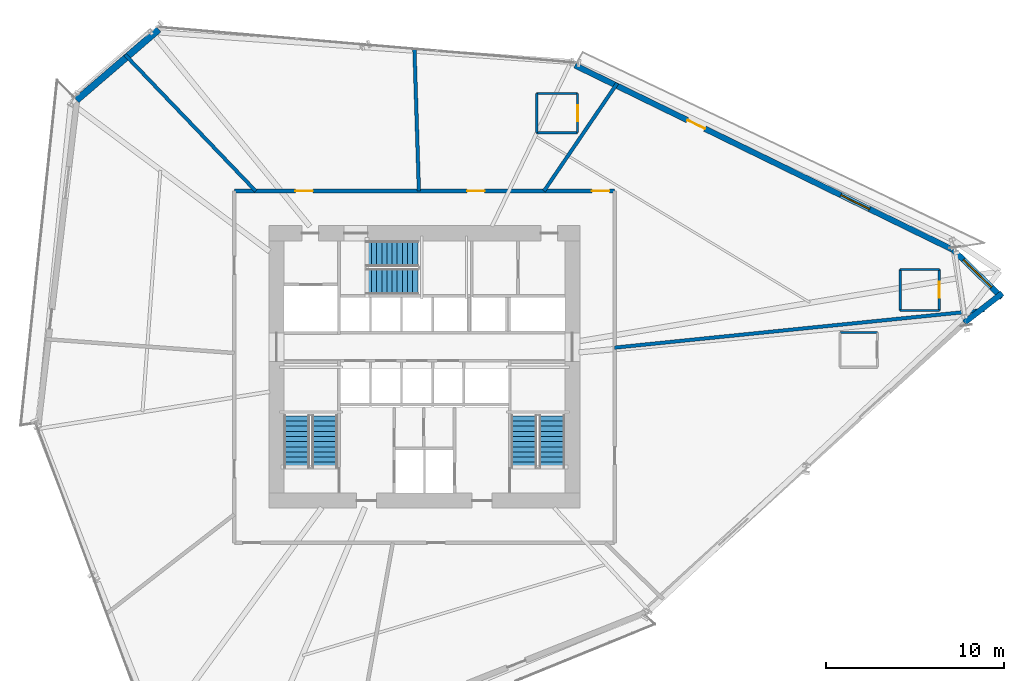
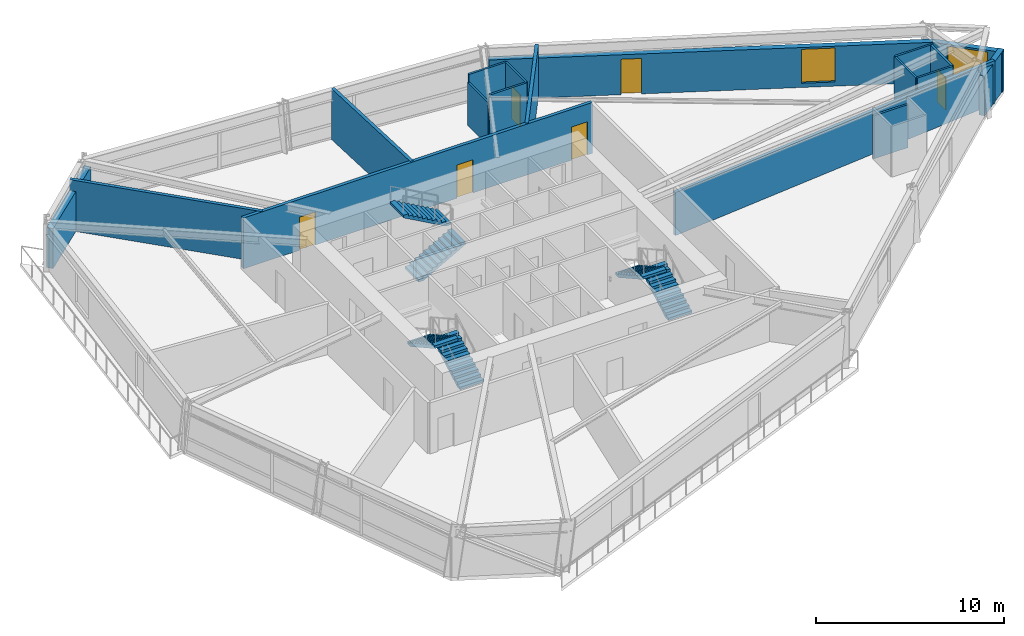
# One storey, part 17 of 21: 18 walls, 6 doors, 6 stair flights, 2 windows, 8 openings, 3 elements without a shape of their own.
"""IFC4 building model written with IfcOpenShell, lengths in metres."""

from ifc_helpers import new_model, si_unit, direction, frame, frame_2d, origin, place, context, subcontext, project, spatial, polyline, rectangle, outline, extrude, source, transform, mapped, material, layer, layer_set, type_object, type_shapes, element, fill, aggregate, save


model = new_model("IFC4")

# Units and contexts
model_context = context("Model", 3, precision=1e-05, world=origin(), true_north=direction((0.0, 1.0)))
body_context = subcontext(model_context, "Body", "Model", "MODEL_VIEW")
ifc_project = project(units=[si_unit("LENGTHUNIT", "METRE"), si_unit("AREAUNIT", "SQUARE_METRE"), si_unit("VOLUMEUNIT", "CUBIC_METRE"), si_unit("PLANEANGLEUNIT", "RADIAN"), si_unit("MASSUNIT", "GRAM", prefix="KILO")], contexts=[model_context])

# Site, building, storey
site_placement = place(None, origin())
site = spatial("IfcSite", under=ifc_project, at=site_placement, CompositionType="ELEMENT")
building_placement = place(site_placement, origin())
building = spatial("IfcBuilding", under=site, at=building_placement, Name="Olszyna Solenne Hotel", CompositionType="ELEMENT")
storey_placement = place(building_placement, frame((0.0, 0.0, 68.35009765625)))
storey = spatial("IfcBuildingStorey", under=building, at=storey_placement, Name="L17", CompositionType="ELEMENT", Elevation=68.35009765625)

# Wall, openings, door, window
ifc_material_1 = material(Name="Precast concrete C45/55", Category="concrete")
ifc_layer_1 = layer(ifc_material_1, 0.320068359375, Name="Precast concrete C45/55")
ifc_layer_set_1 = layer_set([ifc_layer_1], Name="Precast concrete C45/55")
wall_type_1 = type_object("IfcWallType", Name="WL-EX320", PredefinedType="SOLIDWALL", material=ifc_layer_set_1)
wall_1_placement = place(storey_placement, frame((46.47314453125, 43.572265625, 0.0), z_axis=(0.0, 0.0, 1.0), x_axis=(0.898719243612, -0.438524481827, 0.0)))
wall_1 = element("IfcWall", 1, at=wall_1_placement, inside=storey, type_object=wall_type_1, Name="Exterior terracotta-precast frame wall WL-EX320 EW-L17-07", PredefinedType="SOLIDWALL", context=body_context, shape_type="SweptSolid", body=[
    extrude(rectangle(XDim=23.7041015625, YDim=0.320068359375, at=frame_2d((11.85205078125, 0.0))), origin(), (0.0, 0.0, 1.0), 2.591796875),
])
opening_1_placement = place(wall_1_placement, frame((7.034912109375, 0.0, 0.0)))
opening_1 = element("IfcOpeningElement", 2, at=opening_1_placement, cuts=wall_1, Name="Opening LDG-L17-1", PredefinedType="OPENING", context=body_context, shape_type="SweptSolid", body=[
    extrude(rectangle(XDim=1.10009765625, YDim=2.300048828125, at=frame_2d((0.550048828125, 1.14990234375))), frame((0.0, 0.169921875, 0.0), z_axis=(0.0, -1.0, 0.0), x_axis=(1.0, 0.0, 0.0)), (0.0, 0.0, 1.0), 0.340087890625),
])
opening_2_placement = place(wall_1_placement, frame((16.64111328125, 0.0, 0.27197265625)))
opening_2 = element("IfcOpeningElement", 3, at=opening_2_placement, cuts=wall_1, Name="Opening WN-L17-081", PredefinedType="OPENING", context=body_context, shape_type="SweptSolid", body=[
    extrude(rectangle(XDim=1.800048828125, YDim=2.199951171875, at=frame_2d((0.89990234375, 1.10009765625))), frame((0.0, 0.169921875, 0.0), z_axis=(0.0, -1.0, 0.0), x_axis=(1.0, 0.0, 0.0)), (0.0, 0.0, 1.0), 0.340087890625),
])
ifc_material_2 = material(Name="Anodised bronze aluminium", Category="aluminium")
door_type_1 = type_object("IfcDoorType", Name="DR-LG1", OperationType="NOTDEFINED", PredefinedType="DOOR", material=ifc_material_2)
shared_shape_1 = source(origin(), body_context, "Body", "SweptSolid", [
    extrude(rectangle(XDim=1.10009765625, YDim=2.300048828125, at=frame_2d((0.550048828125, 1.14990234375))), frame((0.0, 0.02490234375, 0.0), z_axis=(0.0, -1.0, 0.0), x_axis=(1.0, 0.0, 0.0)), (0.0, 0.0, 1.0), 0.050048828125),
])
type_shapes(door_type_1, [shared_shape_1])
door_1_placement = place(opening_1_placement, origin())
door_1 = element("IfcDoor", 4, at=door_1_placement, inside=storey, type_object=door_type_1, Name="Exterior loggia balcony door DR-LG1 LDG-L17-1", OperationType="SINGLE_SWING_LEFT", OverallHeight=2.300048828125, OverallWidth=1.10009765625, PredefinedType="DOOR", context=body_context, shape_type="MappedRepresentation", body=[
    mapped(shared_shape_1, transform((0.0, 0.0, 0.0), x_axis=(1.0, 0.0, 0.0), y_axis=(0.0, 1.0, 0.0), z_axis=(0.0, 0.0, 1.0), scale=1.0)),
])
fill(opening_1, door_1)
ifc_material_3 = material(Name="Low-E triple glazing", Category="glass")
window_type_1 = type_object("IfcWindowType", Name="WN-HT1", PartitioningType="SINGLE_PANEL", PredefinedType="WINDOW", material=ifc_material_3)
shared_shape_2 = source(origin(), body_context, "Body", "SweptSolid", [
    extrude(rectangle(XDim=1.800048828125, YDim=2.199951171875, at=frame_2d((0.89990234375, 1.10009765625))), frame((0.0, 0.030029296875, 0.0), z_axis=(0.0, -1.0, 0.0), x_axis=(1.0, 0.0, 0.0)), (0.0, 0.0, 1.0), 0.06005859375),
])
type_shapes(window_type_1, [shared_shape_2])
window_1_placement = place(opening_2_placement, origin())
window_1 = element("IfcWindow", 5, at=window_1_placement, inside=storey, type_object=window_type_1, Name="Loggia room window WN-HT1 WN-L17-081", OverallHeight=2.199951171875, OverallWidth=1.800048828125, PartitioningType="SINGLE_PANEL", PredefinedType="WINDOW", context=body_context, shape_type="MappedRepresentation", body=[
    mapped(shared_shape_2, transform((0.0, 0.0, 0.0), x_axis=(1.0, 0.0, 0.0), y_axis=(0.0, 1.0, 0.0), z_axis=(0.0, 0.0, 1.0), scale=1.0)),
])
fill(opening_2, window_1)

# Wall, opening, window
wall_2_placement = place(storey_placement, frame((67.73486328125, 33.206787109375, 0.0), z_axis=(0.0, 0.0, 1.0), x_axis=(0.715835098873, -0.698269368669, 0.0)))
wall_2 = element("IfcWall", 6, at=wall_2_placement, inside=storey, type_object=wall_type_1, Name="Exterior terracotta-precast frame wall WL-EX320 EW-L17-08", PredefinedType="SOLIDWALL", context=body_context, shape_type="SweptSolid", body=[
    extrude(rectangle(XDim=3.86376953125, YDim=0.320068359375, at=frame_2d((1.931884765625, 0.0))), origin(), (0.0, 0.0, 1.0), 2.591796875),
])
opening_3_placement = place(wall_2_placement, frame((0.83203125, 0.0, 0.221923828125)))
opening_3 = element("IfcOpeningElement", 7, at=opening_3_placement, cuts=wall_2, Name="Opening WN-L17-082", PredefinedType="OPENING", context=body_context, shape_type="SweptSolid", body=[
    extrude(rectangle(XDim=2.199951171875, YDim=2.25, at=frame_2d((1.10009765625, 1.125))), frame((0.0, 0.169921875, 0.0), z_axis=(0.0, -1.0, 0.0), x_axis=(1.0, 0.0, 0.0)), (0.0, 0.0, 1.0), 0.340087890625),
])
window_type_2 = type_object("IfcWindowType", Name="WN-HT2", PartitioningType="SINGLE_PANEL", PredefinedType="WINDOW", material=ifc_material_3)
shared_shape_3 = source(origin(), body_context, "Body", "SweptSolid", [
    extrude(rectangle(XDim=2.199951171875, YDim=2.25, at=frame_2d((1.10009765625, 1.125))), frame((0.0, 0.030029296875, 0.0), z_axis=(0.0, -1.0, 0.0), x_axis=(1.0, 0.0, 0.0)), (0.0, 0.0, 1.0), 0.06005859375),
])
type_shapes(window_type_2, [shared_shape_3])
window_2_placement = place(opening_3_placement, origin())
window_2 = element("IfcWindow", 8, at=window_2_placement, inside=storey, type_object=window_type_2, Name="Exterior facade window WN-HT2 WN-L17-082", OverallHeight=2.25, OverallWidth=2.199951171875, PartitioningType="SINGLE_PANEL", PredefinedType="WINDOW", context=body_context, shape_type="MappedRepresentation", body=[
    mapped(shared_shape_3, transform((0.0, 0.0, 0.0), x_axis=(1.0, 0.0, 0.0), y_axis=(0.0, 1.0, 0.0), z_axis=(0.0, 0.0, 1.0), scale=1.0)),
])
fill(opening_3, window_2)

# Walls
wall_3_placement = place(storey_placement, frame((70.51416015625, 30.749755859375, 0.0), z_axis=(0.0, 0.0, 1.0), x_axis=(-0.789595358012, -0.613627876327, 0.0)))
element("IfcWall", 9, at=wall_3_placement, inside=storey, type_object=wall_type_1, Name="Exterior terracotta-precast frame wall WL-EX320 EW-L17-09", PredefinedType="SOLIDWALL", context=body_context, shape_type="SweptSolid", body=[
    extrude(rectangle(XDim=2.70263671875, YDim=0.320068359375, at=frame_2d((1.351318359375, 0.0))), origin(), (0.0, 0.0, 1.0), 2.591796875),
])
ifc_material_4 = material(Name="Terracotta cladding on precast concrete C45/55", Category="masonry")
ifc_layer_2 = layer(ifc_material_4, 0.3798828125, Name="Terracotta cladding on precast concrete C45/55")
ifc_layer_set_2 = layer_set([ifc_layer_2], Name="Terracotta cladding on precast concrete C45/55")
wall_type_2 = type_object("IfcWallType", Name="WL-EX380", PredefinedType="SOLIDWALL", material=ifc_layer_set_2)
wall_4_placement = place(storey_placement, frame((18.424560546875, 41.611572265625, 0.0), z_axis=(0.0, 0.0, 1.0), x_axis=(0.758105656075, 0.652131746066, 0.0)))
element("IfcWall", 10, at=wall_4_placement, inside=storey, type_object=wall_type_2, Name="Exterior terracotta-precast frame wall WL-EX380 EW-L17-05", PredefinedType="SOLIDWALL", context=body_context, shape_type="SweptSolid", body=[
    extrude(rectangle(XDim=6.100341796875, YDim=0.3798828125, at=frame_2d((3.05029296875, 0.0))), origin(), (0.0, 0.0, 1.0), 2.591796875),
])
ifc_material_5 = material(Name="Acoustic gypsum partition", Category="gypsum")
ifc_layer_3 = layer(ifc_material_5, 0.125, Name="Acoustic gypsum partition")
ifc_layer_set_3 = layer_set([ifc_layer_3], Name="Acoustic gypsum partition")
wall_type_3 = type_object("IfcWallType", Name="WL-PT125", PredefinedType="PARTITIONING", material=ifc_layer_set_3)
wall_5_placement = place(storey_placement, frame((63.489990234375, 28.535888671875, 0.0), z_axis=(0.0, 0.0, 1.0), x_axis=(-1.0, 0.0, 0.0)))
element("IfcWall", 11, at=wall_5_placement, inside=storey, type_object=wall_type_3, Name="Interior acoustic partition WL-PT125 PW-L17-0981", PredefinedType="PARTITIONING", context=body_context, shape_type="SweptSolid", body=[
    extrude(rectangle(XDim=2.10009765625, YDim=0.125, at=frame_2d((1.050048828125, 0.0))), origin(), (0.0, 0.0, 1.0), 2.794921875),
])

# Wall, opening, door
wall_6_placement = place(storey_placement, frame((66.971923828125, 29.782958984375, 0.0), z_axis=(0.0, 0.0, 1.0), x_axis=(0.0, 1.0, 0.0)))
wall_6 = element("IfcWall", 12, at=wall_6_placement, inside=storey, type_object=wall_type_3, Name="Interior acoustic partition WL-PT125 PW-L17-0984", PredefinedType="PARTITIONING", context=body_context, shape_type="SweptSolid", body=[
    extrude(rectangle(XDim=2.300048828125, YDim=0.125, at=frame_2d((1.14990234375, 0.0))), origin(), (0.0, 0.0, 1.0), 3.2998046875),
])
opening_4_placement = place(wall_6_placement, frame((0.699951171875, 0.0, 0.0)))
opening_4 = element("IfcOpeningElement", 13, at=opening_4_placement, cuts=wall_6, Name="Opening DR-L17-0223", PredefinedType="OPENING", context=body_context, shape_type="SweptSolid", body=[
    extrude(rectangle(XDim=0.89990234375, YDim=2.10009765625, at=frame_2d((0.449951171875, 1.050048828125))), frame((0.0, 0.072509765625, 0.0), z_axis=(0.0, -1.0, 0.0), x_axis=(1.0, 0.0, 0.0)), (0.0, 0.0, 1.0), 0.14501953125),
])
ifc_material_6 = material(Name="Timber hardwood", Category="wood")
door_type_2 = type_object("IfcDoorType", Name="DR-WC1", OperationType="NOTDEFINED", PredefinedType="DOOR", material=ifc_material_6)
shared_shape_4 = source(origin(), body_context, "Body", "SweptSolid", [
    extrude(rectangle(XDim=0.89990234375, YDim=2.10009765625, at=frame_2d((0.449951171875, 1.050048828125))), frame((0.0, 0.02490234375, 0.0), z_axis=(0.0, -1.0, 0.0), x_axis=(1.0, 0.0, 0.0)), (0.0, 0.0, 1.0), 0.050048828125),
])
type_shapes(door_type_2, [shared_shape_4])
door_2_placement = place(opening_4_placement, origin())
door_2 = element("IfcDoor", 14, at=door_2_placement, inside=storey, type_object=door_type_2, Name="En-Suite Bathroom Door DR-L17-0223", OperationType="SINGLE_SWING_RIGHT", OverallHeight=2.10009765625, OverallWidth=0.89990234375, PredefinedType="DOOR", context=body_context, shape_type="MappedRepresentation", body=[
    mapped(shared_shape_4, transform((0.0, 0.0, 0.0), x_axis=(1.0, 0.0, 0.0), y_axis=(0.0, 1.0, 0.0), z_axis=(0.0, 0.0, 1.0), scale=1.0)),
])
fill(opening_4, door_2)

# Walls
wall_7_placement = place(storey_placement, frame((66.971923828125, 32.0830078125, 0.0), z_axis=(0.0, 0.0, 1.0), x_axis=(-1.0, 0.0, 0.0)))
element("IfcWall", 15, at=wall_7_placement, inside=storey, type_object=wall_type_3, Name="Interior acoustic partition WL-PT125 PW-L17-0985", PredefinedType="PARTITIONING", context=body_context, shape_type="SweptSolid", body=[
    extrude(rectangle(XDim=2.199951171875, YDim=0.125, at=frame_2d((1.10009765625, 0.0))), origin(), (0.0, 0.0, 1.0), 3.2998046875),
])
wall_8_placement = place(storey_placement, frame((64.77197265625, 32.0830078125, 0.0), z_axis=(0.0, 0.0, 1.0), x_axis=(0.0, -1.0, 0.0)))
element("IfcWall", 16, at=wall_8_placement, inside=storey, type_object=wall_type_3, Name="Interior acoustic partition WL-PT125 PW-L17-0986", PredefinedType="PARTITIONING", context=body_context, shape_type="SweptSolid", body=[
    extrude(rectangle(XDim=2.300048828125, YDim=0.125, at=frame_2d((1.14990234375, 0.0))), origin(), (0.0, 0.0, 1.0), 3.2998046875),
])
wall_9_placement = place(storey_placement, frame((64.77197265625, 29.782958984375, 0.0), z_axis=(0.0, 0.0, 1.0), x_axis=(1.0, 0.0, 0.0)))
element("IfcWall", 17, at=wall_9_placement, inside=storey, type_object=wall_type_3, Name="Interior acoustic partition WL-PT125 PW-L17-0987", PredefinedType="PARTITIONING", context=body_context, shape_type="SweptSolid", body=[
    extrude(rectangle(XDim=2.199951171875, YDim=0.125, at=frame_2d((1.10009765625, 0.0))), origin(), (0.0, 0.0, 1.0), 3.2998046875),
])

# Wall, opening, door
wall_10_placement = place(storey_placement, frame((46.616943359375, 39.780029296875, 0.0), z_axis=(0.0, 0.0, 1.0), x_axis=(0.0, 1.0, 0.0)))
wall_10 = element("IfcWall", 18, at=wall_10_placement, inside=storey, type_object=wall_type_3, Name="Interior acoustic partition WL-PT125 PW-L17-0988", PredefinedType="PARTITIONING", context=body_context, shape_type="SweptSolid", body=[
    extrude(rectangle(XDim=2.199951171875, YDim=0.125, at=frame_2d((1.10009765625, 0.0))), origin(), (0.0, 0.0, 1.0), 3.2998046875),
])
opening_5_placement = place(wall_10_placement, frame((0.64990234375, 0.0, 0.0)))
opening_5 = element("IfcOpeningElement", 19, at=opening_5_placement, cuts=wall_10, Name="Opening DR-L17-0224", PredefinedType="OPENING", context=body_context, shape_type="SweptSolid", body=[
    extrude(rectangle(XDim=0.89990234375, YDim=2.10009765625, at=frame_2d((0.449951171875, 1.050048828125))), frame((0.0, 0.072509765625, 0.0), z_axis=(0.0, -1.0, 0.0), x_axis=(1.0, 0.0, 0.0)), (0.0, 0.0, 1.0), 0.14501953125),
])
door_3_placement = place(opening_5_placement, origin())
door_3 = element("IfcDoor", 20, at=door_3_placement, inside=storey, type_object=door_type_2, Name="En-Suite Bathroom Door DR-L17-0224", OperationType="SINGLE_SWING_RIGHT", OverallHeight=2.10009765625, OverallWidth=0.89990234375, PredefinedType="DOOR", context=body_context, shape_type="MappedRepresentation", body=[
    mapped(shared_shape_4, transform((0.0, 0.0, 0.0), x_axis=(1.0, 0.0, 0.0), y_axis=(0.0, 1.0, 0.0), z_axis=(0.0, 0.0, 1.0), scale=1.0)),
])
fill(opening_5, door_3)

# Walls
wall_11_placement = place(storey_placement, frame((46.616943359375, 41.97998046875, 0.0), z_axis=(0.0, 0.0, 1.0), x_axis=(-1.0, 0.0, 0.0)))
element("IfcWall", 21, at=wall_11_placement, inside=storey, type_object=wall_type_3, Name="Interior acoustic partition WL-PT125 PW-L17-0989", PredefinedType="PARTITIONING", context=body_context, shape_type="SweptSolid", body=[
    extrude(rectangle(XDim=2.300048828125, YDim=0.125, at=frame_2d((1.14990234375, 0.0))), origin(), (0.0, 0.0, 1.0), 3.2998046875),
])
wall_12_placement = place(storey_placement, frame((44.31689453125, 41.97998046875, 0.0), z_axis=(0.0, 0.0, 1.0), x_axis=(0.0, -1.0, 0.0)))
element("IfcWall", 22, at=wall_12_placement, inside=storey, type_object=wall_type_3, Name="Interior acoustic partition WL-PT125 PW-L17-0990", PredefinedType="PARTITIONING", context=body_context, shape_type="SweptSolid", body=[
    extrude(rectangle(XDim=2.199951171875, YDim=0.125, at=frame_2d((1.10009765625, 0.0))), origin(), (0.0, 0.0, 1.0), 2.784912109375),
])
wall_13_placement = place(storey_placement, frame((44.31689453125, 39.780029296875, 0.0), z_axis=(0.0, 0.0, 1.0), x_axis=(1.0, 0.0, 0.0)))
element("IfcWall", 23, at=wall_13_placement, inside=storey, type_object=wall_type_3, Name="Interior acoustic partition WL-PT125 PW-L17-0991", PredefinedType="PARTITIONING", context=body_context, shape_type="SweptSolid", body=[
    extrude(rectangle(XDim=2.300048828125, YDim=0.125, at=frame_2d((1.14990234375, 0.0))), origin(), (0.0, 0.0, 1.0), 3.2998046875),
])
ifc_layer_4 = layer(ifc_material_5, 0.199951171875, Name="Acoustic gypsum partition")
ifc_layer_set_4 = layer_set([ifc_layer_4], Name="Acoustic gypsum partition")
wall_type_4 = type_object("IfcWallType", Name="WL-PT200", PredefinedType="PARTITIONING", material=ifc_layer_set_4)
wall_14_placement = place(storey_placement, frame((37.68896484375, 36.5, 0.0), z_axis=(0.0, 0.0, 1.0), x_axis=(-0.031407900808, 0.999506650186, 0.0)))
element("IfcWall", 24, at=wall_14_placement, inside=storey, type_object=wall_type_4, Name="Interior acoustic partition WL-PT200 PW-L17-0972", PredefinedType="PARTITIONING", context=body_context, shape_type="SweptSolid", body=[
    extrude(rectangle(XDim=7.967529296875, YDim=0.199951171875, at=frame_2d((3.98388671875, 0.0))), origin(), (0.0, 0.0, 1.0), 3.2998046875),
])
wall_15_placement = place(storey_placement, frame((28.506103515625, 36.5, 0.0), z_axis=(0.0, 0.0, 1.0), x_axis=(-0.692130904917, 0.721771993402, 0.0)))
element("IfcWall", 25, at=wall_15_placement, inside=storey, type_object=wall_type_4, Name="Interior acoustic partition WL-PT200 PW-L17-0973", PredefinedType="PARTITIONING", context=body_context, shape_type="SweptSolid", body=[
    extrude(rectangle(XDim=10.625244140625, YDim=0.199951171875, at=frame_2d((5.3125, 0.0))), origin(), (0.0, 0.0, 1.0), 3.2998046875),
])
wall_16_placement = place(storey_placement, frame((48.699951171875, 27.68701171875, 0.0), z_axis=(0.0, 0.0, 1.0), x_axis=(0.99488143762, 0.101049122113, 0.0)))
element("IfcWall", 26, at=wall_16_placement, inside=storey, type_object=wall_type_4, Name="Interior acoustic partition WL-PT200 PW-L17-0978", PredefinedType="PARTITIONING", context=body_context, shape_type="SweptSolid", body=[
    extrude(rectangle(XDim=20.910888671875, YDim=0.199951171875, at=frame_2d((10.45556640625, 0.0))), origin(), (0.0, 0.0, 1.0), 2.794921875),
])
wall_17_placement = place(storey_placement, frame((44.72802734375, 36.5, 0.0), z_axis=(0.0, 0.0, 1.0), x_axis=(0.562076643958, 0.827085150584, 0.0)))
element("IfcWall", 27, at=wall_17_placement, inside=storey, type_object=wall_type_4, Name="Interior acoustic partition WL-PT200 PW-L17-0979", PredefinedType="PARTITIONING", context=body_context, shape_type="SweptSolid", body=[
    extrude(rectangle(XDim=7.325927734375, YDim=0.199951171875, at=frame_2d((3.6630859375, 0.0))), origin(), (0.0, 0.0, 1.0), 3.2998046875),
])

# Wall, openings, doors
wall_18_placement = place(storey_placement, frame((27.300048828125, 36.5, 0.0), z_axis=(0.0, 0.0, 1.0), x_axis=(1.0, 0.0, 0.0)))
wall_18 = element("IfcWall", 28, at=wall_18_placement, inside=storey, type_object=wall_type_4, Name="Interior acoustic partition WL-PT200 PW-L17-0994", PredefinedType="PARTITIONING", context=body_context, shape_type="SweptSolid", body=[
    extrude(rectangle(XDim=21.39990234375, YDim=0.199951171875, at=frame_2d((10.699951171875, 0.0))), origin(), (0.0, 0.0, 1.0), 3.2998046875),
])
opening_6_placement = place(wall_18_placement, frame((3.43896484375, 0.0, 0.0)))
opening_6 = element("IfcOpeningElement", 29, at=opening_6_placement, cuts=wall_18, Name="Opening DR-L17-0229", PredefinedType="OPENING", context=body_context, shape_type="SweptSolid", body=[
    extrude(rectangle(XDim=0.97998046875, YDim=2.14990234375, at=frame_2d((0.489990234375, 1.074951171875))), frame((0.0, 0.10986328125, 0.0), z_axis=(0.0, -1.0, 0.0), x_axis=(1.0, 0.0, 0.0)), (0.0, 0.0, 1.0), 0.219970703125),
])
opening_7_placement = place(wall_18_placement, frame((20.1201171875, 0.0, 0.0)))
opening_7 = element("IfcOpeningElement", 30, at=opening_7_placement, cuts=wall_18, Name="Opening DR-L17-0230", PredefinedType="OPENING", context=body_context, shape_type="SweptSolid", body=[
    extrude(rectangle(XDim=0.97998046875, YDim=2.14990234375, at=frame_2d((0.489990234375, 1.074951171875))), frame((0.0, 0.10986328125, 0.0), z_axis=(0.0, -1.0, 0.0), x_axis=(1.0, 0.0, 0.0)), (0.0, 0.0, 1.0), 0.219970703125),
])
opening_8_placement = place(wall_18_placement, frame((13.10400390625, 0.0, 0.0)))
opening_8 = element("IfcOpeningElement", 31, at=opening_8_placement, cuts=wall_18, Name="Opening DR-L17-0231", PredefinedType="OPENING", context=body_context, shape_type="SweptSolid", body=[
    extrude(rectangle(XDim=0.97998046875, YDim=2.14990234375, at=frame_2d((0.489990234375, 1.074951171875))), frame((0.0, 0.10986328125, 0.0), z_axis=(0.0, -1.0, 0.0), x_axis=(1.0, 0.0, 0.0)), (0.0, 0.0, 1.0), 0.219970703125),
])
door_type_3 = type_object("IfcDoorType", Name="DR-RM1", OperationType="NOTDEFINED", PredefinedType="DOOR", material=ifc_material_6)
shared_shape_5 = source(origin(), body_context, "Body", "SweptSolid", [
    extrude(rectangle(XDim=0.97998046875, YDim=2.14990234375, at=frame_2d((0.489990234375, 1.074951171875))), frame((0.0, 0.02490234375, 0.0), z_axis=(0.0, -1.0, 0.0), x_axis=(1.0, 0.0, 0.0)), (0.0, 0.0, 1.0), 0.050048828125),
])
type_shapes(door_type_3, [shared_shape_5])
door_4_placement = place(opening_6_placement, origin())
door_4 = element("IfcDoor", 32, at=door_4_placement, inside=storey, type_object=door_type_3, Name="Private Business Office Entrance Door DR-L17-0229", OperationType="SINGLE_SWING_RIGHT", OverallHeight=2.14990234375, OverallWidth=0.97998046875, PredefinedType="DOOR", context=body_context, shape_type="MappedRepresentation", body=[
    mapped(shared_shape_5, transform((0.0, 0.0, 0.0), x_axis=(1.0, 0.0, 0.0), y_axis=(0.0, 1.0, 0.0), z_axis=(0.0, 0.0, 1.0), scale=1.0)),
])
fill(opening_6, door_4)
door_5_placement = place(opening_7_placement, origin())
door_5 = element("IfcDoor", 33, at=door_5_placement, inside=storey, type_object=door_type_3, Name="Deluxe Hotel Guestroom Entrance Door DR-L17-0230", OperationType="SINGLE_SWING_RIGHT", OverallHeight=2.14990234375, OverallWidth=0.97998046875, PredefinedType="DOOR", context=body_context, shape_type="MappedRepresentation", body=[
    mapped(shared_shape_5, transform((0.0, 0.0, 0.0), x_axis=(1.0, 0.0, 0.0), y_axis=(0.0, 1.0, 0.0), z_axis=(0.0, 0.0, 1.0), scale=1.0)),
])
fill(opening_7, door_5)
door_6_placement = place(opening_8_placement, origin())
door_6 = element("IfcDoor", 34, at=door_6_placement, inside=storey, type_object=door_type_3, Name="Executive Reading Salon Entrance Door DR-L17-0231", OperationType="SINGLE_SWING_LEFT", OverallHeight=2.14990234375, OverallWidth=0.97998046875, PredefinedType="DOOR", context=body_context, shape_type="MappedRepresentation", body=[
    mapped(shared_shape_5, transform((0.0, 0.0, 0.0), x_axis=(1.0, 0.0, 0.0), y_axis=(0.0, 1.0, 0.0), z_axis=(0.0, 0.0, 1.0), scale=1.0)),
])
fill(opening_8, door_6)

# Stair, stair flights
ifc_material_7 = material(Name="Concrete C40/50", Category="concrete")
stair_type = type_object("IfcStairType", Name="STR-C1", PredefinedType="TWO_QUARTER_WINDING_STAIR", material=ifc_material_7)
stair_1_placement = place(storey_placement, origin())
stair_1 = element("IfcStair", 35, at=stair_1_placement, inside=storey, type_object=stair_type, Name="L17 ST1", PredefinedType="TWO_QUARTER_WINDING_STAIR")
stair_flight_type = type_object("IfcStairFlightType", Name="FLT-C1", PredefinedType="STRAIGHT", material=ifc_material_7)
stair_flight_1_placement = place(storey_placement, frame((32.39501953125, 20.949951171875, 0.0), z_axis=(0.0, 0.0, 1.0), x_axis=(0.0, 1.0, 0.0)))
stair_flight_1 = element("IfcStairFlight", 36, at=stair_flight_1_placement, type_object=stair_flight_type, Name="ST1 flight 1", NumberOfRisers=11, NumberOfTreads=10, PredefinedType="STRAIGHT", RiserHeight=0.161363636, TreadLength=0.29, context=body_context, shape_type="SweptSolid", body=[
    extrude(outline(polyline([(0.0, 0.0), (0.0, 0.161376953125), (0.2900390625, 0.161376953125), (0.2900390625, 0.32275390625), (0.580078125, 0.32275390625), (0.580078125, 0.484130859375), (0.8701171875, 0.484130859375), (0.8701171875, 0.6455078125), (1.159912109375, 0.6455078125), (1.159912109375, 0.806884765625), (1.449951171875, 0.806884765625), (1.449951171875, 0.96826171875), (1.739990234375, 0.96826171875), (1.739990234375, 1.129638671875), (2.030029296875, 1.129638671875), (2.030029296875, 1.291015625), (2.320068359375, 1.291015625), (2.320068359375, 1.452392578125), (2.610107421875, 1.452392578125), (2.610107421875, 1.613525390625), (2.89990234375, 1.613525390625), (2.89990234375, 1.77490234375), (2.89990234375, 1.442138671875), (0.308349609375, 0.0), (0.0, 0.0)])), frame((0.0, 0.72509765625, 0.0), z_axis=(0.0, -1.0, 0.0), x_axis=(1.0, 0.0, 0.0)), (0.0, 0.0, 1.0), 1.449951171875),
])
stair_flight_2_placement = place(storey_placement, frame((30.824951171875, 23.85009765625, 1.77490234375), z_axis=(0.0, 0.0, 1.0), x_axis=(0.0, -1.0, 0.0)))
stair_flight_2 = element("IfcStairFlight", 37, at=stair_flight_2_placement, type_object=stair_flight_type, Name="ST1 flight 2", NumberOfRisers=11, NumberOfTreads=10, PredefinedType="STRAIGHT", RiserHeight=0.161363636, TreadLength=0.29, context=body_context, shape_type="SweptSolid", body=[
    extrude(outline(polyline([(0.0, 0.0), (0.0, 0.161376953125), (0.2900390625, 0.161376953125), (0.2900390625, 0.32275390625), (0.580078125, 0.32275390625), (0.580078125, 0.484130859375), (0.8701171875, 0.484130859375), (0.8701171875, 0.6455078125), (1.159912109375, 0.6455078125), (1.159912109375, 0.806884765625), (1.449951171875, 0.806884765625), (1.449951171875, 0.96826171875), (1.739990234375, 0.96826171875), (1.739990234375, 1.129638671875), (2.030029296875, 1.129638671875), (2.030029296875, 1.291015625), (2.320068359375, 1.291015625), (2.320068359375, 1.452392578125), (2.610107421875, 1.452392578125), (2.610107421875, 1.613525390625), (2.89990234375, 1.613525390625), (2.89990234375, 1.77490234375), (2.89990234375, 1.442138671875), (0.308349609375, 0.0), (0.0, 0.0)])), frame((0.0, 0.72509765625, 0.0), z_axis=(0.0, -1.0, 0.0), x_axis=(1.0, 0.0, 0.0)), (0.0, 0.0, 1.0), 1.449951171875),
])
aggregate(stair_1, [stair_flight_1, stair_flight_2])

stair_2_placement = place(storey_placement, origin())
stair_2 = element("IfcStair", 38, at=stair_2_placement, inside=storey, type_object=stair_type, Name="L17 ST2", PredefinedType="TWO_QUARTER_WINDING_STAIR")
stair_flight_3_placement = place(storey_placement, frame((45.175048828125, 20.949951171875, 0.0), z_axis=(0.0, 0.0, 1.0), x_axis=(0.0, 1.0, 0.0)))
stair_flight_3 = element("IfcStairFlight", 39, at=stair_flight_3_placement, type_object=stair_flight_type, Name="ST2 flight 1", NumberOfRisers=11, NumberOfTreads=10, PredefinedType="STRAIGHT", RiserHeight=0.161363636, TreadLength=0.29, context=body_context, shape_type="SweptSolid", body=[
    extrude(outline(polyline([(0.0, 0.0), (0.0, 0.161376953125), (0.2900390625, 0.161376953125), (0.2900390625, 0.32275390625), (0.580078125, 0.32275390625), (0.580078125, 0.484130859375), (0.8701171875, 0.484130859375), (0.8701171875, 0.6455078125), (1.159912109375, 0.6455078125), (1.159912109375, 0.806884765625), (1.449951171875, 0.806884765625), (1.449951171875, 0.96826171875), (1.739990234375, 0.96826171875), (1.739990234375, 1.129638671875), (2.030029296875, 1.129638671875), (2.030029296875, 1.291015625), (2.320068359375, 1.291015625), (2.320068359375, 1.452392578125), (2.610107421875, 1.452392578125), (2.610107421875, 1.613525390625), (2.89990234375, 1.613525390625), (2.89990234375, 1.77490234375), (2.89990234375, 1.442138671875), (0.308349609375, 0.0), (0.0, 0.0)])), frame((0.0, 0.72509765625, 0.0), z_axis=(0.0, -1.0, 0.0), x_axis=(1.0, 0.0, 0.0)), (0.0, 0.0, 1.0), 1.449951171875),
])
stair_flight_4_placement = place(storey_placement, frame((43.60498046875, 23.85009765625, 1.77490234375), z_axis=(0.0, 0.0, 1.0), x_axis=(0.0, -1.0, 0.0)))
stair_flight_4 = element("IfcStairFlight", 40, at=stair_flight_4_placement, type_object=stair_flight_type, Name="ST2 flight 2", NumberOfRisers=11, NumberOfTreads=10, PredefinedType="STRAIGHT", RiserHeight=0.161363636, TreadLength=0.29, context=body_context, shape_type="SweptSolid", body=[
    extrude(outline(polyline([(0.0, 0.0), (0.0, 0.161376953125), (0.2900390625, 0.161376953125), (0.2900390625, 0.32275390625), (0.580078125, 0.32275390625), (0.580078125, 0.484130859375), (0.8701171875, 0.484130859375), (0.8701171875, 0.6455078125), (1.159912109375, 0.6455078125), (1.159912109375, 0.806884765625), (1.449951171875, 0.806884765625), (1.449951171875, 0.96826171875), (1.739990234375, 0.96826171875), (1.739990234375, 1.129638671875), (2.030029296875, 1.129638671875), (2.030029296875, 1.291015625), (2.320068359375, 1.291015625), (2.320068359375, 1.452392578125), (2.610107421875, 1.452392578125), (2.610107421875, 1.613525390625), (2.89990234375, 1.613525390625), (2.89990234375, 1.77490234375), (2.89990234375, 1.442138671875), (0.308349609375, 0.0), (0.0, 0.0)])), frame((0.0, 0.72509765625, 0.0), z_axis=(0.0, -1.0, 0.0), x_axis=(1.0, 0.0, 0.0)), (0.0, 0.0, 1.0), 1.449951171875),
])
aggregate(stair_2, [stair_flight_3, stair_flight_4])

stair_3_placement = place(storey_placement, origin())
stair_3 = element("IfcStair", 41, at=stair_3_placement, inside=storey, type_object=stair_type, Name="L17 ST3", PredefinedType="TWO_QUARTER_WINDING_STAIR")
stair_flight_5_placement = place(storey_placement, frame((34.72998046875, 31.405029296875, 0.0), z_axis=(0.0, 0.0, 1.0), x_axis=(1.0, 0.0, 0.0)))
stair_flight_5 = element("IfcStairFlight", 42, at=stair_flight_5_placement, type_object=stair_flight_type, Name="ST3 flight 1", NumberOfRisers=11, NumberOfTreads=10, PredefinedType="STRAIGHT", RiserHeight=0.161363636, TreadLength=0.29, context=body_context, shape_type="SweptSolid", body=[
    extrude(outline(polyline([(0.0, 0.0), (0.0, 0.161376953125), (0.2900390625, 0.161376953125), (0.2900390625, 0.32275390625), (0.580078125, 0.32275390625), (0.580078125, 0.484130859375), (0.8701171875, 0.484130859375), (0.8701171875, 0.6455078125), (1.159912109375, 0.6455078125), (1.159912109375, 0.806884765625), (1.449951171875, 0.806884765625), (1.449951171875, 0.96826171875), (1.739990234375, 0.96826171875), (1.739990234375, 1.129638671875), (2.030029296875, 1.129638671875), (2.030029296875, 1.291015625), (2.320068359375, 1.291015625), (2.320068359375, 1.452392578125), (2.610107421875, 1.452392578125), (2.610107421875, 1.613525390625), (2.89990234375, 1.613525390625), (2.89990234375, 1.77490234375), (2.89990234375, 1.442138671875), (0.308349609375, 0.0), (0.0, 0.0)])), frame((0.0, 0.72509765625, 0.0), z_axis=(0.0, -1.0, 0.0), x_axis=(1.0, 0.0, 0.0)), (0.0, 0.0, 1.0), 1.449951171875),
])
stair_flight_6_placement = place(storey_placement, frame((37.6298828125, 32.97509765625, 1.77490234375), z_axis=(0.0, 0.0, 1.0), x_axis=(-1.0, 0.0, 0.0)))
stair_flight_6 = element("IfcStairFlight", 43, at=stair_flight_6_placement, type_object=stair_flight_type, Name="ST3 flight 2", NumberOfRisers=11, NumberOfTreads=10, PredefinedType="STRAIGHT", RiserHeight=0.161363636, TreadLength=0.29, context=body_context, shape_type="SweptSolid", body=[
    extrude(outline(polyline([(0.0, 0.0), (0.0, 0.161376953125), (0.2900390625, 0.161376953125), (0.2900390625, 0.32275390625), (0.580078125, 0.32275390625), (0.580078125, 0.484130859375), (0.8701171875, 0.484130859375), (0.8701171875, 0.6455078125), (1.159912109375, 0.6455078125), (1.159912109375, 0.806884765625), (1.449951171875, 0.806884765625), (1.449951171875, 0.96826171875), (1.739990234375, 0.96826171875), (1.739990234375, 1.129638671875), (2.030029296875, 1.129638671875), (2.030029296875, 1.291015625), (2.320068359375, 1.291015625), (2.320068359375, 1.452392578125), (2.610107421875, 1.452392578125), (2.610107421875, 1.613525390625), (2.89990234375, 1.613525390625), (2.89990234375, 1.77490234375), (2.89990234375, 1.442138671875), (0.308349609375, 0.0), (0.0, 0.0)])), frame((0.0, 0.72509765625, 0.0), z_axis=(0.0, -1.0, 0.0), x_axis=(1.0, 0.0, 0.0)), (0.0, 0.0, 1.0), 1.449951171875),
])
aggregate(stair_3, [stair_flight_5, stair_flight_6])

save(model, "model.ifc")
